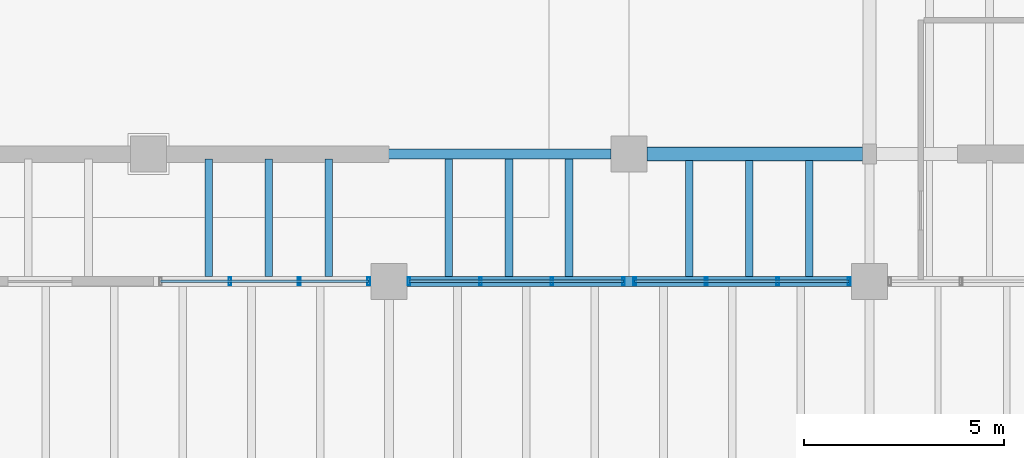
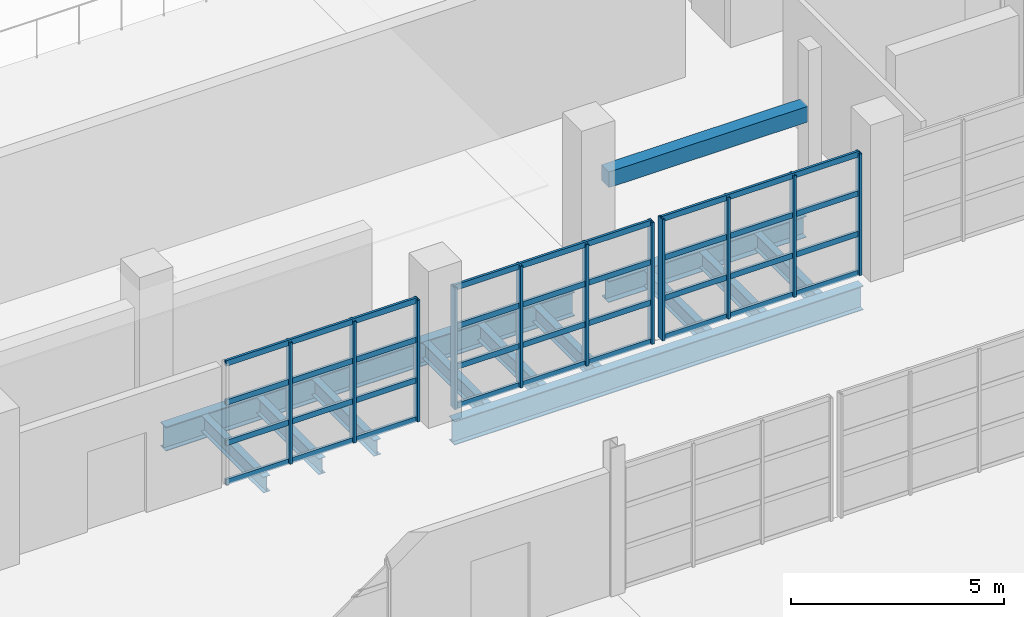
# One storey, part 59 of 114: 23 members, 13 beams, 3 elements without a shape of their own.
"""IFC4 building model written with IfcOpenShell, lengths in metres."""

from ifc_helpers import new_model, si_unit, direction, frame, origin, origin_2d, place, context, subcontext, project, spatial, rectangle, hollow_rectangle, i_section, extrude, material, material_profile, profile_set, type_object, element, aggregate, save


model = new_model("IFC4")

# Units and contexts
model_context = context("Model", 3, precision=1e-05, world=origin(), true_north=direction((0.0, 1.0)))
body_context = subcontext(model_context, "Body", "Model", "MODEL_VIEW")
ifc_project = project(units=[si_unit("LENGTHUNIT", "METRE"), si_unit("AREAUNIT", "SQUARE_METRE"), si_unit("VOLUMEUNIT", "CUBIC_METRE"), si_unit("PLANEANGLEUNIT", "RADIAN"), si_unit("MASSUNIT", "GRAM", prefix="KILO")], contexts=[model_context])

# Site, building, storey
site_placement = place(None, origin())
site = spatial("IfcSite", under=ifc_project, at=site_placement, CompositionType="ELEMENT")
building_placement = place(site_placement, origin())
building = spatial("IfcBuilding", under=site, at=building_placement, Name="Kelmvaro Bay Concert Hall", CompositionType="ELEMENT")
storey_placement = place(building_placement, frame((0.0, 0.0, 4.800048828125)))
storey = spatial("IfcBuildingStorey", under=building, at=storey_placement, Name="L01", CompositionType="ELEMENT", Elevation=4.800048828125)

# Beams
ifc_material_1 = material(Name="Steel ASTM A992 Grade 50", Category="steel")
ifc_material_profile_1 = material_profile(ifc_material_1, i_section(OverallWidth=0.323974609375, OverallDepth=0.611083984375, WebThickness=0.0126953125, FlangeThickness=0.01904296875, at=origin_2d()), Name="W24X104")
ifc_profile_set_1 = profile_set([ifc_material_profile_1], Name="Steel ASTM A992 Grade 50")
beam_type_1 = type_object("IfcBeamType", Name="Foyer Frame Girder W24x104", PredefinedType="BEAM", material=ifc_profile_set_1)
beam_1_placement = place(storey_placement, frame((42.449951171875, 68.580078125, -0.60546875), z_axis=(1.0, 0.0, 0.0), x_axis=(0.0, 1.0, 0.0)))
element("IfcBeam", 1, at=beam_1_placement, inside=storey, type_object=beam_type_1, Name="L01 Girder BM-L01-EW-0084", PredefinedType="BEAM", context=body_context, shape_type="SweptSolid", body=[
    extrude(i_section(OverallWidth=0.323974609375, OverallDepth=0.611083984375, WebThickness=0.0126953125, FlangeThickness=0.01904296875, at=origin_2d()), origin(), (0.0, 0.0, 1.0), 5.375),
])
ifc_material_2 = material(Name="Steel ASTM A992 Grade 50", Category="steel")
ifc_material_profile_2 = material_profile(ifc_material_2, i_section(OverallWidth=0.256103515625, OverallDepth=0.693115234375, WebThickness=0.014404296875, FlangeThickness=0.023681640625, at=origin_2d()), Name="W27X114")
ifc_profile_set_2 = profile_set([ifc_material_profile_2], Name="Steel ASTM A992 Grade 50")
beam_type_2 = type_object("IfcBeamType", Name="Foyer Primary Girder W27x114", PredefinedType="BEAM", material=ifc_profile_set_2)
for number, where, z_axis, x_axis, name in (
    (2, (36.449951171875, 65.39990234375, -0.646484375), (1.0, 0.0, 0.0), (0.0, 1.0, 0.0), "L01 Girder BM-L01-EW-0075"),
    (3, (30.449951171875, 68.580078125, -0.646484375), (1.0, 0.0, 0.0), (0.0, 1.0, 0.0), "L01 Girder BM-L01-EW-0083"),
):
    element("IfcBeam", number, at=place(storey_placement, frame(where, z_axis=z_axis, x_axis=x_axis)), inside=storey, type_object=beam_type_2, Name=name, PredefinedType="BEAM", context=body_context, shape_type="SweptSolid", body=[
        extrude(i_section(OverallWidth=0.256103515625, OverallDepth=0.693115234375, WebThickness=0.014404296875, FlangeThickness=0.023681640625, at=origin_2d()), origin(), (0.0, 0.0, 1.0), 11.10009765625),
    ])
ifc_material_3 = material(Name="Concrete C40/50", Category="concrete")
ifc_material_profile_3 = material_profile(ifc_material_3, rectangle(XDim=0.35009765625, YDim=0.449951171875, at=origin_2d()), Name="RC-LNT-350X450")
ifc_profile_set_3 = profile_set([ifc_material_profile_3], Name="Concrete C40/50")
beam_type_3 = type_object("IfcBeamType", Name="Service Opening Lintel RC350x450", PredefinedType="LINTEL", material=ifc_profile_set_3)
beam_2_placement = place(storey_placement, frame((42.449951171875, 68.580078125, 2.625), z_axis=(1.0, 0.0, 0.0), x_axis=(0.0, 1.0, 0.0)))
element("IfcBeam", 4, at=beam_2_placement, inside=storey, type_object=beam_type_3, Name="L01 Acoustic Portal Lintel S2", PredefinedType="LINTEL", context=body_context, shape_type="SweptSolid", body=[
    extrude(rectangle(XDim=0.35009765625, YDim=0.449951171875, at=origin_2d()), origin(), (0.0, 0.0, 1.0), 5.400146484375),
])
ifc_material_4 = material(Name="Steel ASTM A992 Grade 50", Category="steel")
ifc_material_profile_4 = material_profile(ifc_material_4, i_section(OverallWidth=0.19091796875, OverallDepth=0.45703125, WebThickness=0.009033203125, FlangeThickness=0.014404296875, at=origin_2d()), Name="W18X50")
ifc_profile_set_4 = profile_set([ifc_material_profile_4], Name="Steel ASTM A992 Grade 50")
beam_type_4 = type_object("IfcBeamType", Name="Standard Composite Floor Joist W18x50", PredefinedType="JOIST", material=ifc_profile_set_4)
for number, where, z_axis, x_axis, name in (
    (5, (31.5, 65.528076171875, -0.528564453125), (0.0, 1.0, 0.0), (-1.0, 0.0, 0.0), "L01 Floor Joist JST-L01-0559"),
    (6, (33.0, 65.528076171875, -0.528564453125), (0.0, 1.0, 0.0), (-1.0, 0.0, 0.0), "L01 Floor Joist JST-L01-0560"),
    (7, (34.5, 65.528076171875, -0.528564453125), (0.0, 1.0, 0.0), (-1.0, 0.0, 0.0), "L01 Floor Joist JST-L01-0561"),
    (8, (37.5, 65.528076171875, -0.528564453125), (0.0, 1.0, 0.0), (-1.0, 0.0, 0.0), "L01 Floor Joist JST-L01-0562"),
    (9, (39.0, 65.528076171875, -0.528564453125), (0.0, 1.0, 0.0), (-1.0, 0.0, 0.0), "L01 Floor Joist JST-L01-0563"),
    (10, (40.5, 65.528076171875, -0.528564453125), (0.0, 1.0, 0.0), (-1.0, 0.0, 0.0), "L01 Floor Joist JST-L01-0564"),
):
    element("IfcBeam", number, at=place(storey_placement, frame(where, z_axis=z_axis, x_axis=x_axis)), inside=storey, type_object=beam_type_4, Name=name, PredefinedType="JOIST", context=body_context, shape_type="SweptSolid", body=[
        extrude(i_section(OverallWidth=0.19091796875, OverallDepth=0.45703125, WebThickness=0.009033203125, FlangeThickness=0.014404296875, at=origin_2d()), origin(), (0.0, 0.0, 1.0), 2.923828125),
    ])
for number, where, z_axis, x_axis, name in (
    (11, (43.5, 65.528076171875, -0.528564453125), (0.0, 1.0, 0.0), (-1.0, 0.0, 0.0), "L01 Floor Joist JST-L01-0565"),
    (12, (45.0, 65.528076171875, -0.528564453125), (0.0, 1.0, 0.0), (-1.0, 0.0, 0.0), "L01 Floor Joist JST-L01-0566"),
    (13, (46.5, 65.528076171875, -0.528564453125), (0.0, 1.0, 0.0), (-1.0, 0.0, 0.0), "L01 Floor Joist JST-L01-0567"),
):
    element("IfcBeam", number, at=place(storey_placement, frame(where, z_axis=z_axis, x_axis=x_axis)), inside=storey, type_object=beam_type_4, Name=name, PredefinedType="JOIST", context=body_context, shape_type="SweptSolid", body=[
        extrude(i_section(OverallWidth=0.19091796875, OverallDepth=0.45703125, WebThickness=0.009033203125, FlangeThickness=0.014404296875, at=origin_2d()), origin(), (0.0, 0.0, 1.0), 2.889892578125),
    ])

# Curtain wall, members
ifc_material_5 = material(Name="Anodised Aluminium and Low-E Insulated Glazing", Category="aluminium")
curtain_wall_type = type_object("IfcCurtainWallType", Name="Symphony South Gallery Curtain Wall 3920", PredefinedType="USERDEFINED", material=ifc_material_5)
curtain_wall_1_placement = place(storey_placement, origin())
curtain_wall_1 = element("IfcCurtainWall", 14, at=curtain_wall_1_placement, inside=storey, type_object=curtain_wall_type, Name="Unitised Curtain Wall CW-L01-005", ObjectType="UNITISED GLAZING", PredefinedType="USERDEFINED")
ifc_material_6 = material(Name="Anodised Extruded Aluminium 6063-T6", Category="aluminium")
ifc_material_profile_5 = material_profile(ifc_material_6, hollow_rectangle(XDim=0.070068359375, YDim=0.199951171875, WallThickness=0.00439453125, at=origin_2d()), Name="ALU-MUL-200X70")
ifc_profile_set_5 = profile_set([ifc_material_profile_5], Name="Anodised Extruded Aluminium 6063-T6")
member_type_1 = type_object("IfcMemberType", Name="Waterfront Mullion ALU 200x70", PredefinedType="MULLION", material=ifc_profile_set_5)
member_1_placement = place(storey_placement, frame((35.4951171875, 65.39990234375, 0.0), z_axis=(0.0, 0.0, 1.0), x_axis=(1.0, 0.0, 0.0)))
member_1 = element("IfcMember", 15, at=member_1_placement, type_object=member_type_1, Name="CW-L01-005 Mullion 01", PredefinedType="MULLION", context=body_context, shape_type="SweptSolid", body=[
    extrude(hollow_rectangle(XDim=0.070068359375, YDim=0.199951171875, WallThickness=0.00439453125, at=origin_2d()), origin(), (0.0, 0.0, 1.0), 3.487060546875),
])
member_2_placement = place(storey_placement, frame((33.76318359375, 65.39990234375, 0.0), z_axis=(0.0, 0.0, 1.0), x_axis=(1.0, 0.0, 0.0)))
member_2 = element("IfcMember", 16, at=member_2_placement, type_object=member_type_1, Name="CW-L01-005 Mullion 02", PredefinedType="MULLION", context=body_context, shape_type="SweptSolid", body=[
    extrude(hollow_rectangle(XDim=0.070068359375, YDim=0.199951171875, WallThickness=0.00439453125, at=origin_2d()), origin(), (0.0, 0.0, 1.0), 3.487060546875),
])
member_3_placement = place(storey_placement, frame((32.03173828125, 65.39990234375, 0.0), z_axis=(0.0, 0.0, 1.0), x_axis=(1.0, 0.0, 0.0)))
member_3 = element("IfcMember", 17, at=member_3_placement, type_object=member_type_1, Name="CW-L01-005 Mullion 03", PredefinedType="MULLION", context=body_context, shape_type="SweptSolid", body=[
    extrude(hollow_rectangle(XDim=0.070068359375, YDim=0.199951171875, WallThickness=0.00439453125, at=origin_2d()), origin(), (0.0, 0.0, 1.0), 3.487060546875),
])

curtain_wall_2_placement = place(storey_placement, origin())
curtain_wall_2 = element("IfcCurtainWall", 18, at=curtain_wall_2_placement, inside=storey, type_object=curtain_wall_type, Name="Unitised Curtain Wall CW-L01-006", ObjectType="UNITISED GLAZING", PredefinedType="USERDEFINED")
member_4_placement = place(storey_placement, frame((41.860107421875, 65.39990234375, 0.0), z_axis=(0.0, 0.0, 1.0), x_axis=(1.0, 0.0, 0.0)))
member_4 = element("IfcMember", 19, at=member_4_placement, type_object=member_type_1, Name="CW-L01-006 Mullion 01", PredefinedType="MULLION", context=body_context, shape_type="SweptSolid", body=[
    extrude(hollow_rectangle(XDim=0.070068359375, YDim=0.199951171875, WallThickness=0.00439453125, at=origin_2d()), origin(), (0.0, 0.0, 1.0), 3.487060546875),
])
member_5_placement = place(storey_placement, frame((40.074951171875, 65.39990234375, 0.0), z_axis=(0.0, 0.0, 1.0), x_axis=(1.0, 0.0, 0.0)))
member_5 = element("IfcMember", 20, at=member_5_placement, type_object=member_type_1, Name="CW-L01-006 Mullion 02", PredefinedType="MULLION", context=body_context, shape_type="SweptSolid", body=[
    extrude(hollow_rectangle(XDim=0.070068359375, YDim=0.199951171875, WallThickness=0.00439453125, at=origin_2d()), origin(), (0.0, 0.0, 1.0), 3.487060546875),
])
member_6_placement = place(storey_placement, frame((38.2900390625, 65.39990234375, 0.0), z_axis=(0.0, 0.0, 1.0), x_axis=(1.0, 0.0, 0.0)))
member_6 = element("IfcMember", 21, at=member_6_placement, type_object=member_type_1, Name="CW-L01-006 Mullion 03", PredefinedType="MULLION", context=body_context, shape_type="SweptSolid", body=[
    extrude(hollow_rectangle(XDim=0.070068359375, YDim=0.199951171875, WallThickness=0.00439453125, at=origin_2d()), origin(), (0.0, 0.0, 1.0), 3.487060546875),
])
member_7_placement = place(storey_placement, frame((36.5048828125, 65.39990234375, 0.0), z_axis=(0.0, 0.0, 1.0), x_axis=(1.0, 0.0, 0.0)))
member_7 = element("IfcMember", 22, at=member_7_placement, type_object=member_type_1, Name="CW-L01-006 Mullion 04", PredefinedType="MULLION", context=body_context, shape_type="SweptSolid", body=[
    extrude(hollow_rectangle(XDim=0.070068359375, YDim=0.199951171875, WallThickness=0.00439453125, at=origin_2d()), origin(), (0.0, 0.0, 1.0), 3.487060546875),
])

curtain_wall_3_placement = place(storey_placement, origin())
curtain_wall_3 = element("IfcCurtainWall", 23, at=curtain_wall_3_placement, inside=storey, type_object=curtain_wall_type, Name="Unitised Curtain Wall CW-L01-007", ObjectType="UNITISED GLAZING", PredefinedType="USERDEFINED")
member_8_placement = place(storey_placement, frame((47.4951171875, 65.39990234375, 0.0), z_axis=(0.0, 0.0, 1.0), x_axis=(1.0, 0.0, 0.0)))
member_8 = element("IfcMember", 24, at=member_8_placement, type_object=member_type_1, Name="CW-L01-007 Mullion 01", PredefinedType="MULLION", context=body_context, shape_type="SweptSolid", body=[
    extrude(hollow_rectangle(XDim=0.070068359375, YDim=0.199951171875, WallThickness=0.00439453125, at=origin_2d()), origin(), (0.0, 0.0, 1.0), 3.487060546875),
])
member_9_placement = place(storey_placement, frame((45.7099609375, 65.39990234375, 0.0), z_axis=(0.0, 0.0, 1.0), x_axis=(1.0, 0.0, 0.0)))
member_9 = element("IfcMember", 25, at=member_9_placement, type_object=member_type_1, Name="CW-L01-007 Mullion 02", PredefinedType="MULLION", context=body_context, shape_type="SweptSolid", body=[
    extrude(hollow_rectangle(XDim=0.070068359375, YDim=0.199951171875, WallThickness=0.00439453125, at=origin_2d()), origin(), (0.0, 0.0, 1.0), 3.487060546875),
])
member_10_placement = place(storey_placement, frame((43.925048828125, 65.39990234375, 0.0), z_axis=(0.0, 0.0, 1.0), x_axis=(1.0, 0.0, 0.0)))
member_10 = element("IfcMember", 26, at=member_10_placement, type_object=member_type_1, Name="CW-L01-007 Mullion 03", PredefinedType="MULLION", context=body_context, shape_type="SweptSolid", body=[
    extrude(hollow_rectangle(XDim=0.070068359375, YDim=0.199951171875, WallThickness=0.00439453125, at=origin_2d()), origin(), (0.0, 0.0, 1.0), 3.487060546875),
])
member_11_placement = place(storey_placement, frame((42.139892578125, 65.39990234375, 0.0), z_axis=(0.0, 0.0, 1.0), x_axis=(1.0, 0.0, 0.0)))
member_11 = element("IfcMember", 27, at=member_11_placement, type_object=member_type_1, Name="CW-L01-007 Mullion 04", PredefinedType="MULLION", context=body_context, shape_type="SweptSolid", body=[
    extrude(hollow_rectangle(XDim=0.070068359375, YDim=0.199951171875, WallThickness=0.00439453125, at=origin_2d()), origin(), (0.0, 0.0, 1.0), 3.487060546875),
])

# Member
ifc_material_7 = material(Name="Anodised Extruded Aluminium 6063-T6", Category="aluminium")
ifc_material_profile_6 = material_profile(ifc_material_7, hollow_rectangle(XDim=0.06494140625, YDim=0.159912109375, WallThickness=0.00390625, at=origin_2d()), Name="ALU-TRN-160X65")
ifc_profile_set_6 = profile_set([ifc_material_profile_6], Name="Anodised Extruded Aluminium 6063-T6")
member_type_2 = type_object("IfcMemberType", Name="Waterfront Transom ALU 160x65", PredefinedType="USERDEFINED", material=ifc_profile_set_6)
member_12_placement = place(storey_placement, frame((35.4951171875, 65.39990234375, 0.0400390625), z_axis=(-1.0, 0.0, 0.0), x_axis=(0.0, -1.0, 0.0)))
member_12 = element("IfcMember", 28, at=member_12_placement, type_object=member_type_2, Name="CW-L01-005 Transom 01", ObjectType="TRANSOM", PredefinedType="USERDEFINED", context=body_context, shape_type="SweptSolid", body=[
    extrude(hollow_rectangle(XDim=0.06494140625, YDim=0.159912109375, WallThickness=0.00390625, at=origin_2d()), origin(), (0.0, 0.0, 1.0), 5.195068359375),
])

member_13_placement = place(storey_placement, frame((35.4951171875, 65.39990234375, 1.162353515625), z_axis=(-1.0, 0.0, 0.0), x_axis=(0.0, -1.0, 0.0)))
member_13 = element("IfcMember", 29, at=member_13_placement, type_object=member_type_2, Name="CW-L01-005 Transom 02", ObjectType="TRANSOM", PredefinedType="USERDEFINED", context=body_context, shape_type="SweptSolid", body=[
    extrude(hollow_rectangle(XDim=0.06494140625, YDim=0.159912109375, WallThickness=0.00390625, at=origin_2d()), origin(), (0.0, 0.0, 1.0), 5.195068359375),
])

member_14_placement = place(storey_placement, frame((35.4951171875, 65.39990234375, 2.32470703125), z_axis=(-1.0, 0.0, 0.0), x_axis=(0.0, -1.0, 0.0)))
member_14 = element("IfcMember", 30, at=member_14_placement, type_object=member_type_2, Name="CW-L01-005 Transom 03", ObjectType="TRANSOM", PredefinedType="USERDEFINED", context=body_context, shape_type="SweptSolid", body=[
    extrude(hollow_rectangle(XDim=0.06494140625, YDim=0.159912109375, WallThickness=0.00390625, at=origin_2d()), origin(), (0.0, 0.0, 1.0), 5.195068359375),
])

member_15_placement = place(storey_placement, frame((35.4951171875, 65.39990234375, 3.447021484375), z_axis=(-1.0, 0.0, 0.0), x_axis=(0.0, -1.0, 0.0)))
member_15 = element("IfcMember", 31, at=member_15_placement, type_object=member_type_2, Name="CW-L01-005 Transom 04", ObjectType="TRANSOM", PredefinedType="USERDEFINED", context=body_context, shape_type="SweptSolid", body=[
    extrude(hollow_rectangle(XDim=0.06494140625, YDim=0.159912109375, WallThickness=0.00390625, at=origin_2d()), origin(), (0.0, 0.0, 1.0), 5.195068359375),
])

aggregate(curtain_wall_1, [member_1, member_2, member_3, member_12, member_13, member_14, member_15])

member_16_placement = place(storey_placement, frame((41.860107421875, 65.39990234375, 0.0400390625), z_axis=(-1.0, 0.0, 0.0), x_axis=(0.0, -1.0, 0.0)))
member_16 = element("IfcMember", 32, at=member_16_placement, type_object=member_type_2, Name="CW-L01-006 Transom 01", ObjectType="TRANSOM", PredefinedType="USERDEFINED", context=body_context, shape_type="SweptSolid", body=[
    extrude(hollow_rectangle(XDim=0.06494140625, YDim=0.159912109375, WallThickness=0.00390625, at=origin_2d()), origin(), (0.0, 0.0, 1.0), 5.355224609375),
])

member_17_placement = place(storey_placement, frame((41.860107421875, 65.39990234375, 1.162353515625), z_axis=(-1.0, 0.0, 0.0), x_axis=(0.0, -1.0, 0.0)))
member_17 = element("IfcMember", 33, at=member_17_placement, type_object=member_type_2, Name="CW-L01-006 Transom 02", ObjectType="TRANSOM", PredefinedType="USERDEFINED", context=body_context, shape_type="SweptSolid", body=[
    extrude(hollow_rectangle(XDim=0.06494140625, YDim=0.159912109375, WallThickness=0.00390625, at=origin_2d()), origin(), (0.0, 0.0, 1.0), 5.355224609375),
])

member_18_placement = place(storey_placement, frame((41.860107421875, 65.39990234375, 2.32470703125), z_axis=(-1.0, 0.0, 0.0), x_axis=(0.0, -1.0, 0.0)))
member_18 = element("IfcMember", 34, at=member_18_placement, type_object=member_type_2, Name="CW-L01-006 Transom 03", ObjectType="TRANSOM", PredefinedType="USERDEFINED", context=body_context, shape_type="SweptSolid", body=[
    extrude(hollow_rectangle(XDim=0.06494140625, YDim=0.159912109375, WallThickness=0.00390625, at=origin_2d()), origin(), (0.0, 0.0, 1.0), 5.355224609375),
])

member_19_placement = place(storey_placement, frame((41.860107421875, 65.39990234375, 3.447021484375), z_axis=(-1.0, 0.0, 0.0), x_axis=(0.0, -1.0, 0.0)))
member_19 = element("IfcMember", 35, at=member_19_placement, type_object=member_type_2, Name="CW-L01-006 Transom 04", ObjectType="TRANSOM", PredefinedType="USERDEFINED", context=body_context, shape_type="SweptSolid", body=[
    extrude(hollow_rectangle(XDim=0.06494140625, YDim=0.159912109375, WallThickness=0.00390625, at=origin_2d()), origin(), (0.0, 0.0, 1.0), 5.355224609375),
])

aggregate(curtain_wall_2, [member_4, member_5, member_6, member_7, member_16, member_17, member_18, member_19])

member_20_placement = place(storey_placement, frame((47.4951171875, 65.39990234375, 0.0400390625), z_axis=(-1.0, 0.0, 0.0), x_axis=(0.0, -1.0, 0.0)))
member_20 = element("IfcMember", 36, at=member_20_placement, type_object=member_type_2, Name="CW-L01-007 Transom 01", ObjectType="TRANSOM", PredefinedType="USERDEFINED", context=body_context, shape_type="SweptSolid", body=[
    extrude(hollow_rectangle(XDim=0.06494140625, YDim=0.159912109375, WallThickness=0.00390625, at=origin_2d()), origin(), (0.0, 0.0, 1.0), 5.355224609375),
])

member_21_placement = place(storey_placement, frame((47.4951171875, 65.39990234375, 1.162353515625), z_axis=(-1.0, 0.0, 0.0), x_axis=(0.0, -1.0, 0.0)))
member_21 = element("IfcMember", 37, at=member_21_placement, type_object=member_type_2, Name="CW-L01-007 Transom 02", ObjectType="TRANSOM", PredefinedType="USERDEFINED", context=body_context, shape_type="SweptSolid", body=[
    extrude(hollow_rectangle(XDim=0.06494140625, YDim=0.159912109375, WallThickness=0.00390625, at=origin_2d()), origin(), (0.0, 0.0, 1.0), 5.355224609375),
])

member_22_placement = place(storey_placement, frame((47.4951171875, 65.39990234375, 2.32470703125), z_axis=(-1.0, 0.0, 0.0), x_axis=(0.0, -1.0, 0.0)))
member_22 = element("IfcMember", 38, at=member_22_placement, type_object=member_type_2, Name="CW-L01-007 Transom 03", ObjectType="TRANSOM", PredefinedType="USERDEFINED", context=body_context, shape_type="SweptSolid", body=[
    extrude(hollow_rectangle(XDim=0.06494140625, YDim=0.159912109375, WallThickness=0.00390625, at=origin_2d()), origin(), (0.0, 0.0, 1.0), 5.355224609375),
])

member_23_placement = place(storey_placement, frame((47.4951171875, 65.39990234375, 3.447021484375), z_axis=(-1.0, 0.0, 0.0), x_axis=(0.0, -1.0, 0.0)))
member_23 = element("IfcMember", 39, at=member_23_placement, type_object=member_type_2, Name="CW-L01-007 Transom 04", ObjectType="TRANSOM", PredefinedType="USERDEFINED", context=body_context, shape_type="SweptSolid", body=[
    extrude(hollow_rectangle(XDim=0.06494140625, YDim=0.159912109375, WallThickness=0.00390625, at=origin_2d()), origin(), (0.0, 0.0, 1.0), 5.355224609375),
])

aggregate(curtain_wall_3, [member_8, member_9, member_10, member_11, member_20, member_21, member_22, member_23])

save(model, "model.ifc")
